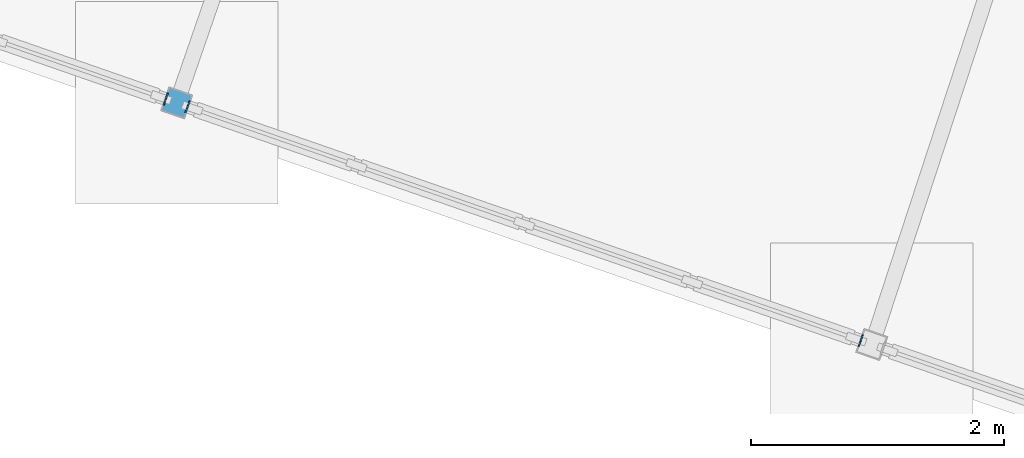
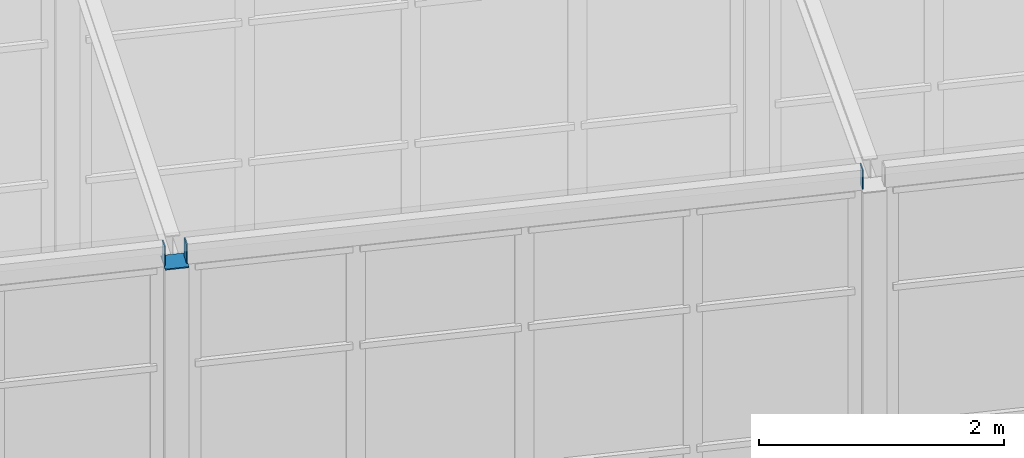
# One storey, part 189 of 226: 4 discrete accessories.
"""IFC4 building model written with IfcOpenShell, lengths in metres."""

from ifc_helpers import new_model, si_unit, direction, frame, origin, origin_2d, place, context, subcontext, project, spatial, rectangle, extrude, material, material_profile, profile_set, type_object, element, save


model = new_model("IFC4")

# Units and contexts
model_context = context("Model", 3, precision=1e-05, world=origin(), true_north=direction((0.0, 1.0)))
body_context = subcontext(model_context, "Body", "Model", "MODEL_VIEW")
ifc_project = project(units=[si_unit("LENGTHUNIT", "METRE"), si_unit("AREAUNIT", "SQUARE_METRE"), si_unit("VOLUMEUNIT", "CUBIC_METRE"), si_unit("PLANEANGLEUNIT", "RADIAN"), si_unit("MASSUNIT", "GRAM", prefix="KILO")], contexts=[model_context])

# Site, building, storey
site_placement = place(None, origin())
site = spatial("IfcSite", under=ifc_project, at=site_placement, CompositionType="ELEMENT")
building_placement = place(site_placement, origin())
building = spatial("IfcBuilding", under=site, at=building_placement, Name="Ceibo Conservatory and Research Tower", CompositionType="ELEMENT")
storey_placement = place(building_placement, origin())
storey = spatial("IfcBuildingStorey", under=building, at=storey_placement, Name="L00", CompositionType="ELEMENT", Elevation=0.0)

# Discrete accessories
ifc_material = material(Name="Steel S355J2", Category="steel")
ifc_material_profile_1 = material_profile(ifc_material, rectangle(XDim=0.10009765625, YDim=0.199951171875, at=origin_2d()), Name="End plate PL 200x100x8")
ifc_profile_set_1 = profile_set([ifc_material_profile_1], Name="Steel S355J2")
discrete_accessory_type_1 = type_object("IfcDiscreteAccessoryType", Name="End plate PL 200x100x8", PredefinedType="USERDEFINED", material=ifc_profile_set_1)
discrete_accessory_1_placement = place(storey_placement, frame((92.095947265625, 56.1748046875, 3.89990234375), z_axis=(0.946163984953, -0.323687679063, 0.0), x_axis=(0.323687679063, 0.946163984953, 0.0)))
element("IfcDiscreteAccessory", 1, at=discrete_accessory_1_placement, inside=storey, type_object=discrete_accessory_type_1, Name="Gallery edge beam AUD-VC-EBS05 end plate", ObjectType="End plate", PredefinedType="USERDEFINED", context=body_context, shape_type="SweptSolid", body=[
    extrude(rectangle(XDim=0.10009765625, YDim=0.199951171875, at=origin_2d()), origin(), (0.0, 0.0, 1.0), 0.009765625),
])
discrete_accessory_2_placement = place(storey_placement, frame((92.26953125, 56.114501953125, 3.89990234375), z_axis=(0.941194670762, -0.337864753607, 0.0), x_axis=(0.337864753607, 0.941194670762, 0.0)))
element("IfcDiscreteAccessory", 2, at=discrete_accessory_2_placement, inside=storey, type_object=discrete_accessory_type_1, Name="Gallery edge beam AUD-VC-EBS06 end plate", ObjectType="End plate", PredefinedType="USERDEFINED", context=body_context, shape_type="SweptSolid", body=[
    extrude(rectangle(XDim=0.10009765625, YDim=0.199951171875, at=origin_2d()), origin(), (0.0, 0.0, 1.0), 0.010009765625),
])
discrete_accessory_3_placement = place(storey_placement, frame((97.584228515625, 54.267333984375, 3.89990234375), z_axis=(0.946163984953, -0.323687679063, 0.0), x_axis=(0.323687679063, 0.946163984953, 0.0)))
element("IfcDiscreteAccessory", 3, at=discrete_accessory_3_placement, inside=storey, type_object=discrete_accessory_type_1, Name="Gallery edge beam AUD-VC-EBS06 end plate", ObjectType="End plate", PredefinedType="USERDEFINED", context=body_context, shape_type="SweptSolid", body=[
    extrude(rectangle(XDim=0.10009765625, YDim=0.199951171875, at=origin_2d()), origin(), (0.0, 0.0, 1.0), 0.009765625),
])
ifc_material_profile_2 = material_profile(ifc_material, rectangle(XDim=0.199951171875, YDim=0.199951171875, at=origin_2d()), Name="End plate PL 200x200x10")
ifc_profile_set_2 = profile_set([ifc_material_profile_2], Name="Steel S355J2")
discrete_accessory_type_2 = type_object("IfcDiscreteAccessoryType", Name="End plate PL 200x200x10", PredefinedType="USERDEFINED", material=ifc_profile_set_2)
discrete_accessory_4_placement = place(storey_placement, frame((92.1875, 56.14306640625, 3.798095703125), z_axis=(0.0, 0.0, 1.0), x_axis=(0.944579236191, -0.328283515513, 0.0)))
element("IfcDiscreteAccessory", 4, at=discrete_accessory_4_placement, inside=storey, type_object=discrete_accessory_type_2, Name="Gallery column AUD-VC-CS05 end plate", ObjectType="End plate", PredefinedType="USERDEFINED", context=body_context, shape_type="SweptSolid", body=[
    extrude(rectangle(XDim=0.199951171875, YDim=0.199951171875, at=origin_2d()), origin(), (0.0, 0.0, 1.0), 0.011962890625),
])

save(model, "model.ifc")
